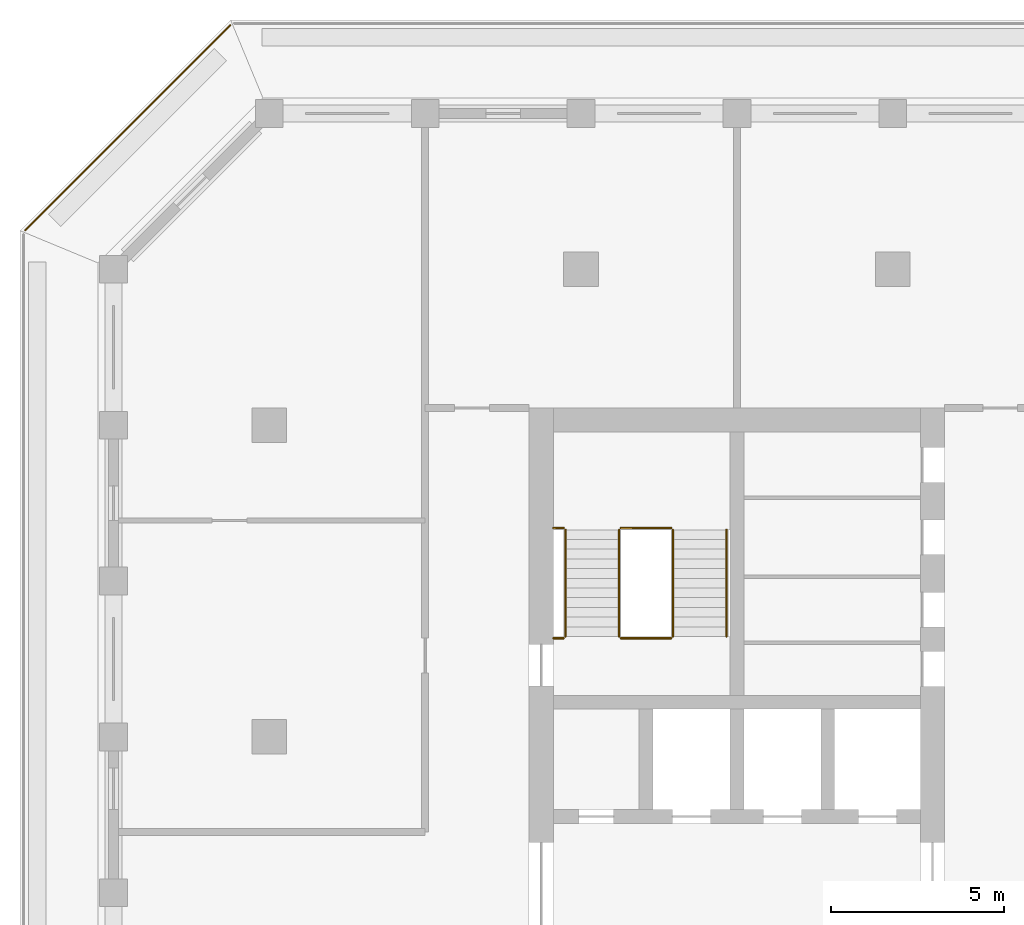
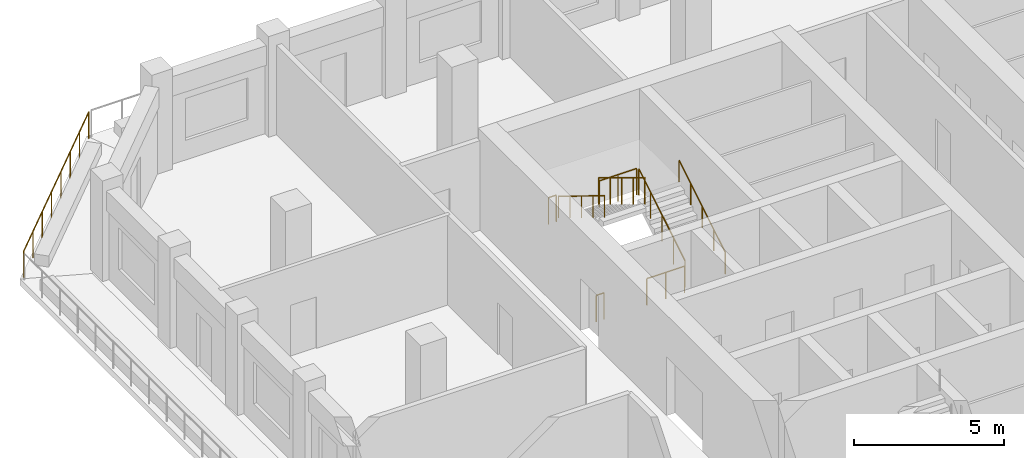
# One storey, part 11 of 14: 9 railings.
"""IFC4 building model written with IfcOpenShell, lengths in metres."""

from ifc_helpers import new_model, si_unit, direction, frame, origin, origin_2d, place, context, subcontext, project, spatial, circle, extrude, material, type_object, element, save


model = new_model("IFC4")

# Units and contexts
model_context = context("Model", 3, precision=1e-05, world=origin(), true_north=direction((0.0, 1.0)))
body_context = subcontext(model_context, "Body", "Model", "MODEL_VIEW")
ifc_project = project(units=[si_unit("LENGTHUNIT", "METRE"), si_unit("AREAUNIT", "SQUARE_METRE"), si_unit("VOLUMEUNIT", "CUBIC_METRE"), si_unit("PLANEANGLEUNIT", "RADIAN"), si_unit("MASSUNIT", "GRAM", prefix="KILO")], contexts=[model_context])

# Site, building, storey
site_placement = place(None, origin())
site = spatial("IfcSite", under=ifc_project, at=site_placement, CompositionType="ELEMENT")
building_placement = place(site_placement, origin())
building = spatial("IfcBuilding", under=site, at=building_placement, Name="Corbel Stack Research Tower", CompositionType="ELEMENT")
storey_placement = place(building_placement, frame((0.0, 0.0, 270.39990234375)))
storey = spatial("IfcBuildingStorey", under=building, at=storey_placement, Name="L61", CompositionType="ELEMENT", Elevation=270.39990234375)

# Railings
ifc_material_1 = material(Name="Steel S355", Category="steel")
railing_type_1 = type_object("IfcRailingType", Name="Stair guard 1100", PredefinedType="GUARDRAIL", material=ifc_material_1)
railing_1_placement = place(storey_placement, frame((-6.35009765625, 11.89990234375, 0.1708984375)))
element("IfcRailing", 1, at=railing_1_placement, inside=storey, type_object=railing_type_1, Name="L61 ST-W2 stair guard 1", PredefinedType="GUARDRAIL", context=body_context, shape_type="SweptSolid", body=[
    extrude(circle(Radius=0.02392578125, at=origin_2d()), frame((0.0, 0.0, 1.076171875), z_axis=(0.0, 0.853666305674, 0.52082035152), x_axis=(-1.0, 0.0, 0.0)), (0.0, 0.0, 1.0), 3.608154296875),
    extrude(circle(Radius=0.02099609375, at=origin_2d()), origin(), (0.0, 0.0, 1.0), 1.052001953125),
    extrude(circle(Radius=0.02099609375, at=origin_2d()), frame((0.0, 0.77001953125, 0.4697265625)), (0.0, 0.0, 1.0), 1.052001953125),
    extrude(circle(Radius=0.02099609375, at=origin_2d()), frame((0.0, 1.5400390625, 0.939453125)), (0.0, 0.0, 1.0), 1.052001953125),
    extrude(circle(Radius=0.02099609375, at=origin_2d()), frame((0.0, 2.31005859375, 1.409423828125)), (0.0, 0.0, 1.0), 1.052001953125),
    extrude(circle(Radius=0.02099609375, at=origin_2d()), frame((0.0, 3.080078125, 1.879150390625)), (0.0, 0.0, 1.0), 1.052001953125),
])
railing_2_placement = place(storey_placement, frame((-6.39990234375, 15.030029296875, 2.050048828125)))
element("IfcRailing", 2, at=railing_2_placement, inside=storey, type_object=railing_type_1, Name="L61 ST-W2 stair guard 2", PredefinedType="GUARDRAIL", context=body_context, shape_type="SweptSolid", body=[
    extrude(circle(Radius=0.02392578125, at=origin_2d()), frame((0.0, 0.0, 1.076171875), z_axis=(-1.0, 0.0, 0.0), x_axis=(0.0, -1.0, 0.0)), (0.0, 0.0, 1.0), 1.4501953125),
    extrude(circle(Radius=0.02099609375, at=origin_2d()), origin(), (0.0, 0.0, 1.0), 1.052001953125),
    extrude(circle(Radius=0.02099609375, at=origin_2d()), frame((-0.72509765625, 0.0, 0.0)), (0.0, 0.0, 1.0), 1.052001953125),
    extrude(circle(Radius=0.02099609375, at=origin_2d()), frame((-1.4501953125, 0.0, 0.0)), (0.0, 0.0, 1.0), 1.052001953125),
])
railing_3_placement = place(storey_placement, frame((-9.5, 15.030029296875, 2.050048828125)))
element("IfcRailing", 3, at=railing_3_placement, inside=storey, type_object=railing_type_1, Name="L61 ST-W2 stair guard 3", PredefinedType="GUARDRAIL", context=body_context, shape_type="SweptSolid", body=[
    extrude(circle(Radius=0.02392578125, at=origin_2d()), frame((0.0, 0.0, 1.076171875), z_axis=(-1.0, 0.0, 0.0), x_axis=(0.0, -1.0, 0.0)), (0.0, 0.0, 1.0), 0.300048828125),
    extrude(circle(Radius=0.02099609375, at=origin_2d()), origin(), (0.0, 0.0, 1.0), 1.052001953125),
    extrude(circle(Radius=0.02099609375, at=origin_2d()), frame((-0.300048828125, 0.0, 0.0)), (0.0, 0.0, 1.0), 1.052001953125),
])
railing_4_placement = place(storey_placement, frame((-7.89990234375, 14.97998046875, 2.220947265625)))
element("IfcRailing", 4, at=railing_4_placement, inside=storey, type_object=railing_type_1, Name="L61 ST-W2 stair guard 4", PredefinedType="GUARDRAIL", context=body_context, shape_type="SweptSolid", body=[
    extrude(circle(Radius=0.02392578125, at=origin_2d()), frame((0.0, 0.0, 1.076171875), z_axis=(0.0, -0.853666305674, 0.52082035152), x_axis=(1.0, 0.0, 0.0)), (0.0, 0.0, 1.0), 3.608154296875),
    extrude(circle(Radius=0.02099609375, at=origin_2d()), origin(), (0.0, 0.0, 1.0), 1.052001953125),
    extrude(circle(Radius=0.02099609375, at=origin_2d()), frame((0.0, -0.77001953125, 0.4697265625)), (0.0, 0.0, 1.0), 1.052001953125),
    extrude(circle(Radius=0.02099609375, at=origin_2d()), frame((0.0, -1.5400390625, 0.939453125)), (0.0, 0.0, 1.0), 1.052001953125),
    extrude(circle(Radius=0.02099609375, at=origin_2d()), frame((0.0, -2.31005859375, 1.409423828125)), (0.0, 0.0, 1.0), 1.052001953125),
    extrude(circle(Radius=0.02099609375, at=origin_2d()), frame((0.0, -3.080078125, 1.879150390625)), (0.0, 0.0, 1.0), 1.052001953125),
])
railing_5_placement = place(storey_placement, frame((-6.39990234375, 11.85009765625, 0.0)))
element("IfcRailing", 5, at=railing_5_placement, inside=storey, type_object=railing_type_1, Name="L61 ST-W2 stair guard 5", PredefinedType="GUARDRAIL", context=body_context, shape_type="SweptSolid", body=[
    extrude(circle(Radius=0.02392578125, at=origin_2d()), frame((0.0, 0.0, 1.076171875), z_axis=(-1.0, 0.0, 0.0), x_axis=(0.0, -1.0, 0.0)), (0.0, 0.0, 1.0), 1.4501953125),
    extrude(circle(Radius=0.02099609375, at=origin_2d()), origin(), (0.0, 0.0, 1.0), 1.052001953125),
    extrude(circle(Radius=0.02099609375, at=origin_2d()), frame((-0.72509765625, 0.0, 0.0)), (0.0, 0.0, 1.0), 1.052001953125),
    extrude(circle(Radius=0.02099609375, at=origin_2d()), frame((-1.4501953125, 0.0, 0.0)), (0.0, 0.0, 1.0), 1.052001953125),
])
railing_6_placement = place(storey_placement, frame((-9.5, 11.85009765625, 0.0)))
element("IfcRailing", 6, at=railing_6_placement, inside=storey, type_object=railing_type_1, Name="L61 ST-W2 stair guard 6", PredefinedType="GUARDRAIL", context=body_context, shape_type="SweptSolid", body=[
    extrude(circle(Radius=0.02392578125, at=origin_2d()), frame((0.0, 0.0, 1.076171875), z_axis=(-1.0, 0.0, 0.0), x_axis=(0.0, -1.0, 0.0)), (0.0, 0.0, 1.0), 0.300048828125),
    extrude(circle(Radius=0.02099609375, at=origin_2d()), origin(), (0.0, 0.0, 1.0), 1.052001953125),
    extrude(circle(Radius=0.02099609375, at=origin_2d()), frame((-0.300048828125, 0.0, 0.0)), (0.0, 0.0, 1.0), 1.052001953125),
])
ifc_material_2 = material(Name="Steel S355", Category="steel")
railing_type_2 = type_object("IfcRailingType", Name="Stair handrail 900", PredefinedType="HANDRAIL", material=ifc_material_2)
railing_7_placement = place(storey_placement, frame((-4.800048828125, 11.89990234375, 0.1708984375)))
element("IfcRailing", 7, at=railing_7_placement, inside=storey, type_object=railing_type_2, Name="L61 ST-W2 stair handrail 1", PredefinedType="HANDRAIL", context=body_context, shape_type="SweptSolid", body=[
    extrude(circle(Radius=0.02392578125, at=origin_2d()), frame((0.0, 0.0, 0.8759765625), z_axis=(0.0, 0.853666305674, 0.52082035152), x_axis=(-1.0, 0.0, 0.0)), (0.0, 0.0, 1.0), 3.608154296875),
    extrude(circle(Radius=0.02099609375, at=origin_2d()), origin(), (0.0, 0.0, 1.0), 0.851806640625),
    extrude(circle(Radius=0.02099609375, at=origin_2d()), frame((0.0, 0.77001953125, 0.4697265625)), (0.0, 0.0, 1.0), 0.851806640625),
    extrude(circle(Radius=0.02099609375, at=origin_2d()), frame((0.0, 1.5400390625, 0.939453125)), (0.0, 0.0, 1.0), 0.851806640625),
    extrude(circle(Radius=0.02099609375, at=origin_2d()), frame((0.0, 2.31005859375, 1.409423828125)), (0.0, 0.0, 1.0), 0.851806640625),
    extrude(circle(Radius=0.02099609375, at=origin_2d()), frame((0.0, 3.080078125, 1.879150390625)), (0.0, 0.0, 1.0), 0.851806640625),
])
railing_8_placement = place(storey_placement, frame((-9.449951171875, 14.97998046875, 2.220947265625)))
element("IfcRailing", 8, at=railing_8_placement, inside=storey, type_object=railing_type_2, Name="L61 ST-W2 stair handrail 2", PredefinedType="HANDRAIL", context=body_context, shape_type="SweptSolid", body=[
    extrude(circle(Radius=0.02392578125, at=origin_2d()), frame((0.0, 0.0, 0.8759765625), z_axis=(0.0, -0.853666305674, 0.52082035152), x_axis=(1.0, 0.0, 0.0)), (0.0, 0.0, 1.0), 3.608154296875),
    extrude(circle(Radius=0.02099609375, at=origin_2d()), origin(), (0.0, 0.0, 1.0), 0.851806640625),
    extrude(circle(Radius=0.02099609375, at=origin_2d()), frame((0.0, -0.77001953125, 0.4697265625)), (0.0, 0.0, 1.0), 0.851806640625),
    extrude(circle(Radius=0.02099609375, at=origin_2d()), frame((0.0, -1.5400390625, 0.939453125)), (0.0, 0.0, 1.0), 0.851806640625),
    extrude(circle(Radius=0.02099609375, at=origin_2d()), frame((0.0, -2.31005859375, 1.409423828125)), (0.0, 0.0, 1.0), 0.851806640625),
    extrude(circle(Radius=0.02099609375, at=origin_2d()), frame((0.0, -3.080078125, 1.879150390625)), (0.0, 0.0, 1.0), 0.851806640625),
])
ifc_material_3 = material(Name="Powder-coated steel guard", Category="steel")
railing_type_3 = type_object("IfcRailingType", Name="Steel and glass guard 1100", PredefinedType="GUARDRAIL", material=ifc_material_3)
railing_9_placement = place(storey_placement, frame((-19.127685546875, 29.54931640625, 0.0)))
element("IfcRailing", 9, at=railing_9_placement, inside=storey, type_object=railing_type_3, Name="Loggia guard L61 NW", PredefinedType="GUARDRAIL", context=body_context, shape_type="SweptSolid", body=[
    extrude(circle(Radius=0.02392578125, at=origin_2d()), frame((0.0, 0.0, 1.076171875), z_axis=(-0.707106781187, -0.707106781187, 0.0), x_axis=(0.707106781187, -0.707106781187, 0.0)), (0.0, 0.0, 1.0), 8.37451171875),
    extrude(circle(Radius=0.02099609375, at=origin_2d()), origin(), (0.0, 0.0, 1.0), 1.052001953125),
    extrude(circle(Radius=0.02099609375, at=origin_2d()), frame((-0.845947265625, -0.845947265625, 0.0)), (0.0, 0.0, 1.0), 1.052001953125),
    extrude(circle(Radius=0.02099609375, at=origin_2d()), frame((-1.69189453125, -1.69189453125, 0.0)), (0.0, 0.0, 1.0), 1.052001953125),
    extrude(circle(Radius=0.02099609375, at=origin_2d()), frame((-2.537841796875, -2.537841796875, 0.0)), (0.0, 0.0, 1.0), 1.052001953125),
    extrude(circle(Radius=0.02099609375, at=origin_2d()), frame((-3.3837890625, -3.3837890625, 0.0)), (0.0, 0.0, 1.0), 1.052001953125),
    extrude(circle(Radius=0.02099609375, at=origin_2d()), frame((-4.229736328125, -4.229736328125, 0.0)), (0.0, 0.0, 1.0), 1.052001953125),
    extrude(circle(Radius=0.02099609375, at=origin_2d()), frame((-5.07568359375, -5.07568359375, 0.0)), (0.0, 0.0, 1.0), 1.052001953125),
    extrude(circle(Radius=0.02099609375, at=origin_2d()), frame((-5.921630859375, -5.921630859375, 0.0)), (0.0, 0.0, 1.0), 1.052001953125),
])

save(model, "model.ifc")
